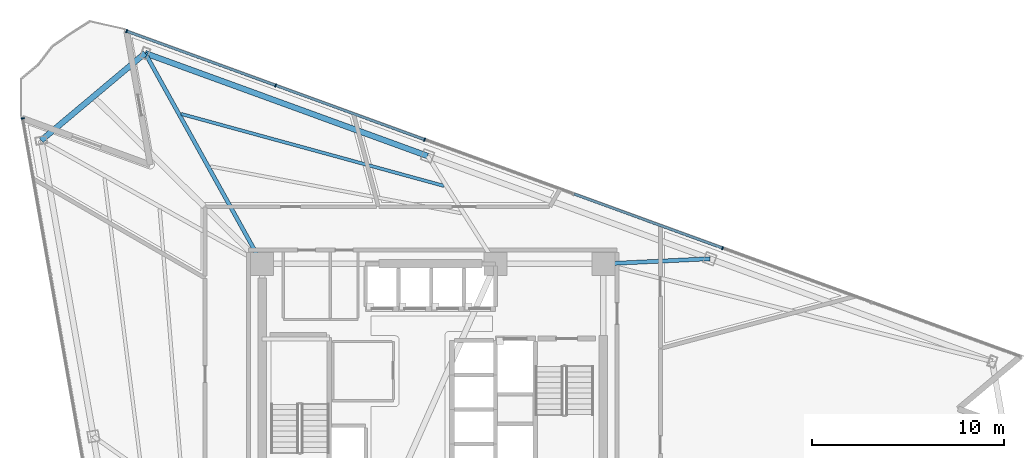
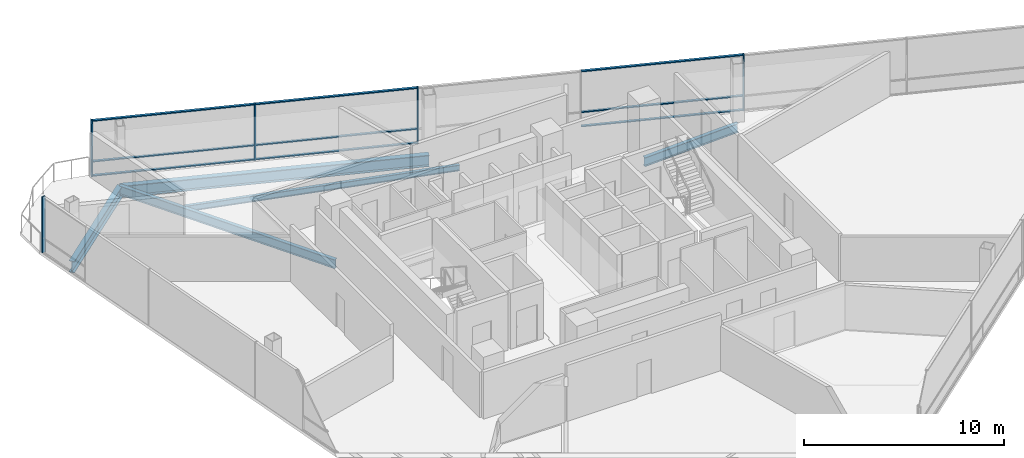
# One storey, part 7 of 15: 14 members, 5 beams, 2 elements without a shape of their own.
"""IFC4 building model written with IfcOpenShell, lengths in metres."""

import ifcopenshell
import ifcopenshell.guid

model = None  # the IFC model being written
_history = None  # IfcOwnerHistory: only IFC2X3 demands one
_inside = {}  # id of a spatial element -> (the spatial element, [elements in it])
_under = {}  # id of a project, library or spatial element -> (it, [spatial elements below it])
_declared = {}  # id of a project -> (the project, [libraries it declares])
_typed = {}  # id of a type object -> (the type object, [elements of that type])
_made_of = {}  # id of a material, layer set ... -> (it, [elements and type objects made of it])


def new_model(schema):
    """Start an empty IFC model of exactly this schema.

    Asked for "IFC4X3", IfcOpenShell would pick the latest addendum, in which some entities
    have other attributes; the version numbers below select the first issue.
    IFC2X3 requires an IfcOwnerHistory on every rooted entity: one is made here for all.
    """
    global model, _history
    if schema == "IFC4X3":
        model = ifcopenshell.file(schema_version=(4, 3, 0, 0))
    else:
        model = ifcopenshell.file(schema=schema)
    _inside.clear()
    _under.clear()
    _declared.clear()
    _typed.clear()
    _made_of.clear()
    _history = None
    if model.schema == "IFC2X3":
        org = make("IfcOrganization", Name="unknown")
        user = make(
            "IfcPersonAndOrganization",
            ThePerson=make("IfcPerson", FamilyName="unknown"),
            TheOrganization=org,
        )
        app = make(
            "IfcApplication",
            ApplicationDeveloper=org,
            Version="unknown",
            ApplicationFullName="unknown",
            ApplicationIdentifier="unknown",
        )
        _history = make(
            "IfcOwnerHistory",
            OwningUser=user,
            OwningApplication=app,
            ChangeAction="ADDED",
            CreationDate=0,
        )
    return model


def make(cls, **values):
    """One entity of the class cls with the attributes given. An attribute that is None is left unset."""
    return model.create_entity(
        cls, **{name: value for name, value in values.items() if value is not None}
    )


def rooted(cls, **values):
    """An entity with a GlobalId (a new one), such as an element, a storey or a relation."""
    return make(cls, GlobalId=ifcopenshell.guid.new(), OwnerHistory=_history, **values)


def si_unit(unit_type, name, prefix=None):
    """IfcSIUnit, for example si_unit("LENGTHUNIT", "METRE", prefix="MILLI")."""
    return make("IfcSIUnit", UnitType=unit_type, Prefix=prefix, Name=name)


def assignment(units):
    """IfcUnitAssignment: the units of a project."""
    return None if units is None else make("IfcUnitAssignment", Units=units)


def point(xyz):
    """IfcCartesianPoint."""
    return None if xyz is None else make("IfcCartesianPoint", Coordinates=xyz)


def direction(xyz):
    """IfcDirection."""
    return None if xyz is None else make("IfcDirection", DirectionRatios=xyz)


def frame(location, z_axis=None, x_axis=None):
    """IfcAxis2Placement3D, a coordinate frame: its origin and axes. An axis left out is left unset."""
    return make(
        "IfcAxis2Placement3D",
        Location=point(location),
        Axis=direction(z_axis),
        RefDirection=direction(x_axis),
    )


def frame_2d(location, x_axis=None):
    """IfcAxis2Placement2D, a coordinate frame in the plane: its origin and x axis."""
    return make(
        "IfcAxis2Placement2D", Location=point(location), RefDirection=direction(x_axis)
    )


def origin():
    """The frame at (0, 0, 0) with its axes left unset."""
    return frame((0.0, 0.0, 0.0))


def origin_2d():
    """The frame at (0, 0) in the plane with its x axis left unset."""
    return frame_2d((0.0, 0.0))


def place(relative_to, where):
    """IfcLocalPlacement: puts the frame where relative to a parent placement (None: the world)."""
    return make(
        "IfcLocalPlacement", PlacementRelTo=relative_to, RelativePlacement=where
    )


def context(
    kind, dimensions, precision=None, world=None, true_north=None, identifier=None
):
    """IfcGeometricRepresentationContext, for example the 3D "Model" context."""
    return make(
        "IfcGeometricRepresentationContext",
        ContextIdentifier=identifier,
        ContextType=kind,
        CoordinateSpaceDimension=dimensions,
        Precision=precision,
        WorldCoordinateSystem=world,
        TrueNorth=true_north,
    )


def subcontext(parent, identifier, kind, view, scale=None):
    """IfcGeometricRepresentationSubContext, for example "Body" below "Model"."""
    return make(
        "IfcGeometricRepresentationSubContext",
        ContextIdentifier=identifier,
        ContextType=kind,
        ParentContext=parent,
        TargetScale=scale,
        TargetView=view,
    )


def project(units=None, contexts=None):
    """IfcProject with its units and contexts."""
    return rooted(
        "IfcProject",
        Name="project",
        RepresentationContexts=contexts,
        UnitsInContext=assignment(units),
    )


def spatial(cls, under=None, at=None, **own):
    """A site, building, storey or space (cls), placed at a placement, below another one or the project."""
    s = rooted(cls, ObjectPlacement=at, **own)
    if under is not None:
        _under.setdefault(under.id(), (under, []))[1].append(s)
    return s


def profile(cls, at=None, kind="AREA", **sizes):
    """A parametric profile (cls). Its sizes go by their IFC names, for example OverallWidth=200.0."""
    return make(cls, ProfileType=kind, Position=at, **sizes)


def rectangle(**sizes):
    """IfcRectangleProfileDef."""
    return profile("IfcRectangleProfileDef", **sizes)


def i_section(**sizes):
    """IfcIShapeProfileDef."""
    return profile("IfcIShapeProfileDef", **sizes)


def extrude(swept, where, along, depth):
    """IfcExtrudedAreaSolid: the profile swept, set in the frame where, extruded along a direction by depth."""
    return make(
        "IfcExtrudedAreaSolid",
        SweptArea=swept,
        Position=where,
        ExtrudedDirection=direction(along),
        Depth=depth,
    )


def shape(context_of_items, identifier, shape_type, items):
    """IfcShapeRepresentation: the items that make up one representation, for example the "Body"."""
    return make(
        "IfcShapeRepresentation",
        ContextOfItems=context_of_items,
        RepresentationIdentifier=identifier,
        RepresentationType=shape_type,
        Items=items,
    )


def material(Name=None, Category=None):
    """IfcMaterial."""
    return make("IfcMaterial", Name=Name, Category=Category)


def layer(
    of_material, thickness, ventilated=None, Name=None, Category=None, Priority=None
):
    """IfcMaterialLayer: one layer of a wall or slab, of a material (None: an air gap)."""
    return make(
        "IfcMaterialLayer",
        Material=of_material,
        LayerThickness=thickness,
        IsVentilated=ventilated,
        Name=Name,
        Category=Category,
        Priority=Priority,
    )


def layer_set(layers, Name=None):
    """IfcMaterialLayerSet."""
    return make("IfcMaterialLayerSet", MaterialLayers=layers, LayerSetName=Name)


def material_profile(
    of_material, cross_section, Name=None, Category=None, Priority=None
):
    """IfcMaterialProfile: a cross section and its material."""
    return make(
        "IfcMaterialProfile",
        Name=Name,
        Material=of_material,
        Profile=cross_section,
        Priority=Priority,
        Category=Category,
    )


def profile_set(profiles, Name=None, composite=None):
    """IfcMaterialProfileSet."""
    return make(
        "IfcMaterialProfileSet",
        Name=Name,
        MaterialProfiles=profiles,
        CompositeProfile=composite,
    )


def made_of(thing, what):
    """Note that an element or type object is made of a material, layer set ...; save() writes the relation."""
    if what is not None:
        _made_of.setdefault(what.id(), (what, []))[1].append(thing)
    return thing


def type_object(cls, material=None, **own):
    """A type object (cls), such as IfcWallType, which elements share."""
    return made_of(rooted(cls, **own), material)


def element(
    cls,
    number,
    at=None,
    inside=None,
    cuts=None,
    type_object=None,
    material=None,
    context=None,
    identifier="Body",
    shape_type=None,
    held_by="IfcProductDefinitionShape",
    body=None,
    shapes=None,
    **own,
):
    """One element of the class cls, such as IfcWall. Its Tag is "e" and its number.

    at: its placement. inside: the storey or other place that contains it. cuts: it is an
    opening in that element (IfcRelVoidsElement). A single representation is given by context,
    identifier, shape_type and body (its items); several are given by shapes. held_by: the class
    of the entity that holds the representations. save() writes the other relations.
    """
    e = rooted(cls, Tag="e%d" % number, ObjectPlacement=at, **own)
    if body is not None:
        shapes = [shape(context, identifier, shape_type, body)]
    if shapes is not None:
        e.Representation = make(held_by, Representations=shapes)
    if inside is not None:
        _inside.setdefault(inside.id(), (inside, []))[1].append(e)
    if cuts is not None:
        rooted(
            "IfcRelVoidsElement", RelatingBuildingElement=cuts, RelatedOpeningElement=e
        )
    if type_object is not None:
        _typed.setdefault(type_object.id(), (type_object, []))[1].append(e)
    return made_of(e, material)


def aggregate(whole, parts):
    """IfcRelAggregates: a whole, such as a stair, and the parts it consists of."""
    return rooted("IfcRelAggregates", RelatingObject=whole, RelatedObjects=parts)


def save(model, path):
    """Write the relations noted so far, then the file.

    IfcRelAggregates (storeys below a building ...), IfcRelContainedInSpatialStructure (elements
    in a storey), IfcRelDefinesByType, IfcRelAssociatesMaterial and IfcRelDeclares: one each for
    every whole, place, type object, material and project.
    """
    for whole, parts in _under.values():
        aggregate(whole, parts)
    for where, things in _inside.values():
        rooted(
            "IfcRelContainedInSpatialStructure",
            RelatedElements=things,
            RelatingStructure=where,
        )
    for kind, things in _typed.values():
        rooted("IfcRelDefinesByType", RelatedObjects=things, RelatingType=kind)
    for what, things in _made_of.values():
        rooted("IfcRelAssociatesMaterial", RelatedObjects=things, RelatingMaterial=what)
    for by, libraries in _declared.values():
        rooted("IfcRelDeclares", RelatingContext=by, RelatedDefinitions=libraries)
    model.write(path)


model = new_model("IFC4")

# Units and contexts
model_context = context("Model", 3, precision=1e-05, world=origin(), true_north=direction((0.0, 1.0)))
body_context = subcontext(model_context, "Body", "Model", "MODEL_VIEW")
ifc_project = project(units=[si_unit("LENGTHUNIT", "METRE"), si_unit("AREAUNIT", "SQUARE_METRE"), si_unit("VOLUMEUNIT", "CUBIC_METRE"), si_unit("PLANEANGLEUNIT", "RADIAN"), si_unit("MASSUNIT", "GRAM", prefix="KILO")], contexts=[model_context])

# Site, building, storey
site_placement = place(None, origin())
site = spatial("IfcSite", under=ifc_project, at=site_placement, CompositionType="ELEMENT")
building_placement = place(site_placement, origin())
building = spatial("IfcBuilding", under=site, at=building_placement, Name="Tharavind Bronze Gate", CompositionType="ELEMENT")
storey_placement = place(building_placement, frame((0.0, 0.0, 177.699951171875)))
storey = spatial("IfcBuildingStorey", under=building, at=storey_placement, Name="L45", CompositionType="ELEMENT", Elevation=177.699951171875)

# Curtain wall, member
ifc_material_1 = material(Name="Anodised Bronze Aluminium", Category="aluminium")
ifc_layer = layer(ifc_material_1, 0.219970703125)
ifc_layer_set = layer_set([ifc_layer], Name="Anodised Bronze Aluminium")
curtain_wall_type = type_object("IfcCurtainWallType", Name="UNITISED CURTAIN WALL MID OFFICE", PredefinedType="USERDEFINED", material=ifc_layer_set)
curtain_wall_1_placement = place(storey_placement, origin())
curtain_wall_1 = element("IfcCurtainWall", 1, at=curtain_wall_1_placement, inside=storey, type_object=curtain_wall_type, Name="L45 unitised curtain wall mid office CW-L45-S1", ObjectType="UNITISED CURTAIN WALL", PredefinedType="USERDEFINED")
member_type_1 = type_object("IfcMemberType", Name="CURTAIN WALL BRONZE MULLION 65X180", PredefinedType="MULLION", material=ifc_material_1)
member_1_placement = place(storey_placement, frame((-21.396728515625, 15.1923828125, 0.0), z_axis=(0.0, 0.0, 1.0), x_axis=(0.173648177667, -0.984807753012, 0.0)))
member_1 = element("IfcMember", 2, at=member_1_placement, type_object=member_type_1, Name="CW-L45-S1 mullion 1", PredefinedType="MULLION", context=body_context, shape_type="SweptSolid", body=[
    extrude(rectangle(XDim=0.06494140625, YDim=0.179931640625, at=origin_2d()), origin(), (0.0, 0.0, 1.0), 3.419921875),
])
aggregate(curtain_wall_1, [member_1])

# Curtain wall, members
curtain_wall_2_placement = place(storey_placement, origin())
curtain_wall_2 = element("IfcCurtainWall", 3, at=curtain_wall_2_placement, inside=storey, type_object=curtain_wall_type, Name="L45 unitised curtain wall mid office CW-L45-S3", ObjectType="UNITISED CURTAIN WALL", PredefinedType="USERDEFINED")
member_2_placement = place(storey_placement, frame((15.12451171875, 8.424560546875, 0.0), z_axis=(0.0, 0.0, 1.0), x_axis=(-0.939692023847, 0.342021783398, 0.0)))
member_2 = element("IfcMember", 4, at=member_2_placement, type_object=member_type_1, Name="CW-L45-S3 mullion 3", PredefinedType="MULLION", context=body_context, shape_type="SweptSolid", body=[
    extrude(rectangle(XDim=0.06494140625, YDim=0.179931640625, at=origin_2d()), origin(), (0.0, 0.0, 1.0), 3.419921875),
])
member_3_placement = place(storey_placement, frame((-0.42431640625, 14.083984375, 0.0), z_axis=(0.0, 0.0, 1.0), x_axis=(-0.939692023847, 0.342021783398, 0.0)))
member_3 = element("IfcMember", 5, at=member_3_placement, type_object=member_type_1, Name="CW-L45-S3 mullion 5", PredefinedType="MULLION", context=body_context, shape_type="SweptSolid", body=[
    extrude(rectangle(XDim=0.06494140625, YDim=0.179931640625, at=origin_2d()), origin(), (0.0, 0.0, 1.0), 3.419921875),
])
member_4_placement = place(storey_placement, frame((-8.19873046875, 16.91357421875, 0.0), z_axis=(0.0, 0.0, 1.0), x_axis=(-0.939692023847, 0.342021783398, 0.0)))
member_4 = element("IfcMember", 6, at=member_4_placement, type_object=member_type_1, Name="CW-L45-S3 mullion 6", PredefinedType="MULLION", context=body_context, shape_type="SweptSolid", body=[
    extrude(rectangle(XDim=0.06494140625, YDim=0.179931640625, at=origin_2d()), origin(), (0.0, 0.0, 1.0), 3.419921875),
])
member_5_placement = place(storey_placement, frame((-15.97314453125, 19.743408203125, 0.0), z_axis=(0.0, 0.0, 1.0), x_axis=(-0.939692023847, 0.342021783398, 0.0)))
member_5 = element("IfcMember", 7, at=member_5_placement, type_object=member_type_1, Name="CW-L45-S3 mullion 7", PredefinedType="MULLION", context=body_context, shape_type="SweptSolid", body=[
    extrude(rectangle(XDim=0.06494140625, YDim=0.179931640625, at=origin_2d()), origin(), (0.0, 0.0, 1.0), 3.419921875),
])
member_type_2 = type_object("IfcMemberType", Name="CURTAIN WALL BRONZE TRANSOM 65X140", PredefinedType="USERDEFINED", material=ifc_material_1)
member_6_placement = place(storey_placement, frame((11.2373046875, 9.839599609375, 0.0), z_axis=(0.0, 0.0, 1.0), x_axis=(-0.939692023847, 0.342021783398, 0.0)))
member_6 = element("IfcMember", 8, at=member_6_placement, type_object=member_type_2, Name="CW-L45-S3 transom TB3", ObjectType="TRANSOM", PredefinedType="USERDEFINED", context=body_context, shape_type="SweptSolid", body=[
    extrude(rectangle(XDim=8.220458984375, YDim=0.139892578125, at=origin_2d()), origin(), (0.0, 0.0, 1.0), 0.06494140625),
])
member_7_placement = place(storey_placement, frame((11.2373046875, 9.839599609375, 0.86767578125), z_axis=(0.0, 0.0, 1.0), x_axis=(-0.939692023847, 0.342021783398, 0.0)))
member_7 = element("IfcMember", 9, at=member_7_placement, type_object=member_type_2, Name="CW-L45-S3 transom TS3", ObjectType="TRANSOM", PredefinedType="USERDEFINED", context=body_context, shape_type="SweptSolid", body=[
    extrude(rectangle(XDim=8.220458984375, YDim=0.139892578125, at=origin_2d()), origin(), (0.0, 0.0, 1.0), 0.06494140625),
])
member_8_placement = place(storey_placement, frame((11.2373046875, 9.839599609375, 3.35498046875), z_axis=(0.0, 0.0, 1.0), x_axis=(-0.939692023847, 0.342021783398, 0.0)))
member_8 = element("IfcMember", 10, at=member_8_placement, type_object=member_type_2, Name="CW-L45-S3 transom TT3", ObjectType="TRANSOM", PredefinedType="USERDEFINED", context=body_context, shape_type="SweptSolid", body=[
    extrude(rectangle(XDim=8.220458984375, YDim=0.139892578125, at=origin_2d()), origin(), (0.0, 0.0, 1.0), 0.06494140625),
])
member_9_placement = place(storey_placement, frame((-4.3115234375, 15.498779296875, 0.0), z_axis=(0.0, 0.0, 1.0), x_axis=(-0.939692023847, 0.342021783398, 0.0)))
member_9 = element("IfcMember", 11, at=member_9_placement, type_object=member_type_2, Name="CW-L45-S3 transom TB5", ObjectType="TRANSOM", PredefinedType="USERDEFINED", context=body_context, shape_type="SweptSolid", body=[
    extrude(rectangle(XDim=8.220458984375, YDim=0.139892578125, at=origin_2d()), origin(), (0.0, 0.0, 1.0), 0.06494140625),
])
member_10_placement = place(storey_placement, frame((-4.3115234375, 15.498779296875, 0.86767578125), z_axis=(0.0, 0.0, 1.0), x_axis=(-0.939692023847, 0.342021783398, 0.0)))
member_10 = element("IfcMember", 12, at=member_10_placement, type_object=member_type_2, Name="CW-L45-S3 transom TS5", ObjectType="TRANSOM", PredefinedType="USERDEFINED", context=body_context, shape_type="SweptSolid", body=[
    extrude(rectangle(XDim=8.220458984375, YDim=0.139892578125, at=origin_2d()), origin(), (0.0, 0.0, 1.0), 0.06494140625),
])
member_11_placement = place(storey_placement, frame((-4.3115234375, 15.498779296875, 3.35498046875), z_axis=(0.0, 0.0, 1.0), x_axis=(-0.939692023847, 0.342021783398, 0.0)))
member_11 = element("IfcMember", 13, at=member_11_placement, type_object=member_type_2, Name="CW-L45-S3 transom TT5", ObjectType="TRANSOM", PredefinedType="USERDEFINED", context=body_context, shape_type="SweptSolid", body=[
    extrude(rectangle(XDim=8.220458984375, YDim=0.139892578125, at=origin_2d()), origin(), (0.0, 0.0, 1.0), 0.06494140625),
])
member_12_placement = place(storey_placement, frame((-12.0859375, 18.32861328125, 0.0), z_axis=(0.0, 0.0, 1.0), x_axis=(-0.939692023847, 0.342021783398, 0.0)))
member_12 = element("IfcMember", 14, at=member_12_placement, type_object=member_type_2, Name="CW-L45-S3 transom TB6", ObjectType="TRANSOM", PredefinedType="USERDEFINED", context=body_context, shape_type="SweptSolid", body=[
    extrude(rectangle(XDim=8.220458984375, YDim=0.139892578125, at=origin_2d()), origin(), (0.0, 0.0, 1.0), 0.06494140625),
])
member_13_placement = place(storey_placement, frame((-12.0859375, 18.32861328125, 0.86767578125), z_axis=(0.0, 0.0, 1.0), x_axis=(-0.939692023847, 0.342021783398, 0.0)))
member_13 = element("IfcMember", 15, at=member_13_placement, type_object=member_type_2, Name="CW-L45-S3 transom TS6", ObjectType="TRANSOM", PredefinedType="USERDEFINED", context=body_context, shape_type="SweptSolid", body=[
    extrude(rectangle(XDim=8.220458984375, YDim=0.139892578125, at=origin_2d()), origin(), (0.0, 0.0, 1.0), 0.06494140625),
])
member_14_placement = place(storey_placement, frame((-12.0859375, 18.32861328125, 3.35498046875), z_axis=(0.0, 0.0, 1.0), x_axis=(-0.939692023847, 0.342021783398, 0.0)))
member_14 = element("IfcMember", 16, at=member_14_placement, type_object=member_type_2, Name="CW-L45-S3 transom TT6", ObjectType="TRANSOM", PredefinedType="USERDEFINED", context=body_context, shape_type="SweptSolid", body=[
    extrude(rectangle(XDim=8.220458984375, YDim=0.139892578125, at=origin_2d()), origin(), (0.0, 0.0, 1.0), 0.06494140625),
])
aggregate(curtain_wall_2, [member_2, member_3, member_4, member_5, member_6, member_7, member_8, member_9, member_10, member_11, member_12, member_13, member_14])

# Beams
ifc_material_2 = material(Name="Steel S355", Category="steel")
ifc_material_profile_1 = material_profile(ifc_material_2, i_section(OverallWidth=0.2099609375, OverallDepth=0.550048828125, WebThickness=0.010986328125, FlangeThickness=0.01708984375, at=origin_2d()), Name="IPE550")
ifc_profile_set_1 = profile_set([ifc_material_profile_1], Name="Steel S355")
beam_type_1 = type_object("IfcBeamType", Name="PRIMARY GIRDER IPE550", PredefinedType="USERDEFINED", material=ifc_profile_set_1)
beam_1_placement = place(storey_placement, frame((14.461181640625, 7.867919921875, -0.454833984375), z_axis=(-0.998842397835, -0.048102643243, 0.0), x_axis=(0.048102643243, -0.998842397835, 0.0)))
element("IfcBeam", 17, at=beam_1_placement, inside=storey, type_object=beam_type_1, Name="L45 primary girder ipe550 BM-L45-RAD10", ObjectType="GIRDER", PredefinedType="USERDEFINED", context=body_context, shape_type="SweptSolid", body=[
    extrude(i_section(OverallWidth=0.2099609375, OverallDepth=0.550048828125, WebThickness=0.010986328125, FlangeThickness=0.01708984375, at=origin_2d()), origin(), (0.0, 0.0, 1.0), 5.567626953125),
])
beam_2_placement = place(storey_placement, frame((-15.0087890625, 18.59423828125, -0.454833984375), z_axis=(0.485705558329, -0.874122480324, 0.0), x_axis=(0.874122480324, 0.485705558329, 0.0)))
element("IfcBeam", 18, at=beam_2_placement, inside=storey, type_object=beam_type_1, Name="L45 primary girder ipe550 BM-L45-RAD12", ObjectType="GIRDER", PredefinedType="USERDEFINED", context=body_context, shape_type="SweptSolid", body=[
    extrude(i_section(OverallWidth=0.2099609375, OverallDepth=0.550048828125, WebThickness=0.010986328125, FlangeThickness=0.01708984375, at=origin_2d()), origin(), (0.0, 0.0, 1.0), 12.577392578125),
])
ifc_material_profile_2 = material_profile(ifc_material_2, i_section(OverallWidth=0.300048828125, OverallDepth=0.699951171875, WebThickness=0.01708984375, FlangeThickness=0.031982421875, at=origin_2d()), Name="HE700B")
ifc_profile_set_2 = profile_set([ifc_material_profile_2], Name="Steel S355")
beam_type_2 = type_object("IfcBeamType", Name="RING GIRDER HE700B", PredefinedType="USERDEFINED", material=ifc_profile_set_2)
beam_3_placement = place(storey_placement, frame((-0.27392578125, 13.231201171875, -0.530029296875), z_axis=(-0.939692918618, 0.342019325037, 0.0), x_axis=(-0.342019325037, -0.939692918618, 0.0)))
element("IfcBeam", 19, at=beam_3_placement, inside=storey, type_object=beam_type_2, Name="L45 ring girder he700b BM-L45-PRG11", ObjectType="GIRDER", PredefinedType="USERDEFINED", context=body_context, shape_type="SweptSolid", body=[
    extrude(i_section(OverallWidth=0.300048828125, OverallDepth=0.699951171875, WebThickness=0.01708984375, FlangeThickness=0.031982421875, at=origin_2d()), origin(), (0.0, 0.0, 1.0), 15.680419921875),
])
beam_4_placement = place(storey_placement, frame((-15.0087890625, 18.59423828125, -0.530029296875), z_axis=(-0.766051869817, -0.642778758789, 0.0), x_axis=(0.642778758789, -0.766051869817, 0.0)))
element("IfcBeam", 20, at=beam_4_placement, inside=storey, type_object=beam_type_2, Name="L45 ring girder he700b BM-L45-PRG12", ObjectType="GIRDER", PredefinedType="USERDEFINED", context=body_context, shape_type="SweptSolid", body=[
    extrude(i_section(OverallWidth=0.300048828125, OverallDepth=0.699951171875, WebThickness=0.01708984375, FlangeThickness=0.031982421875, at=origin_2d()), origin(), (0.0, 0.0, 1.0), 7.080322265625),
])
ifc_material_profile_3 = material_profile(ifc_material_2, i_section(OverallWidth=0.169921875, OverallDepth=0.360107421875, WebThickness=0.008056640625, FlangeThickness=0.0126953125, at=origin_2d()), Name="IPE360")
ifc_profile_set_3 = profile_set([ifc_material_profile_3], Name="Steel S355")
beam_type_3 = type_object("IfcBeamType", Name="SECONDARY FLOOR JOIST IPE360", PredefinedType="JOIST", material=ifc_profile_set_3)
beam_5_placement = place(storey_placement, frame((0.5849609375, 11.66845703125, -0.35986328125), z_axis=(-0.964511642121, 0.264040323081, 0.0), x_axis=(-0.264040323081, -0.964511642121, 0.0)))
element("IfcBeam", 21, at=beam_5_placement, inside=storey, type_object=beam_type_3, Name="L45 secondary floor joist ipe360 BM-L45-JSTB11", PredefinedType="JOIST", context=body_context, shape_type="SweptSolid", body=[
    extrude(i_section(OverallWidth=0.169921875, OverallDepth=0.360107421875, WebThickness=0.008056640625, FlangeThickness=0.0126953125, at=origin_2d()), origin(), (0.0, 0.0, 1.0), 14.211669921875),
])

save(model, "model.ifc")
